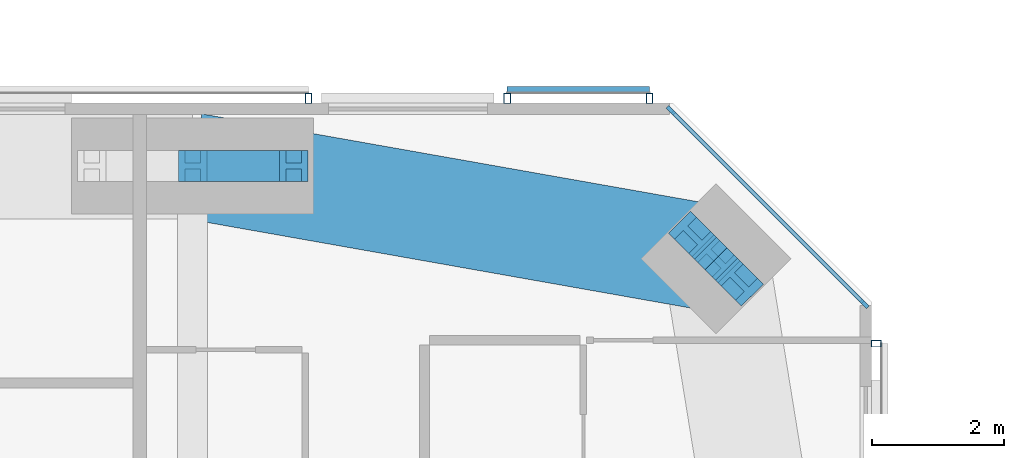
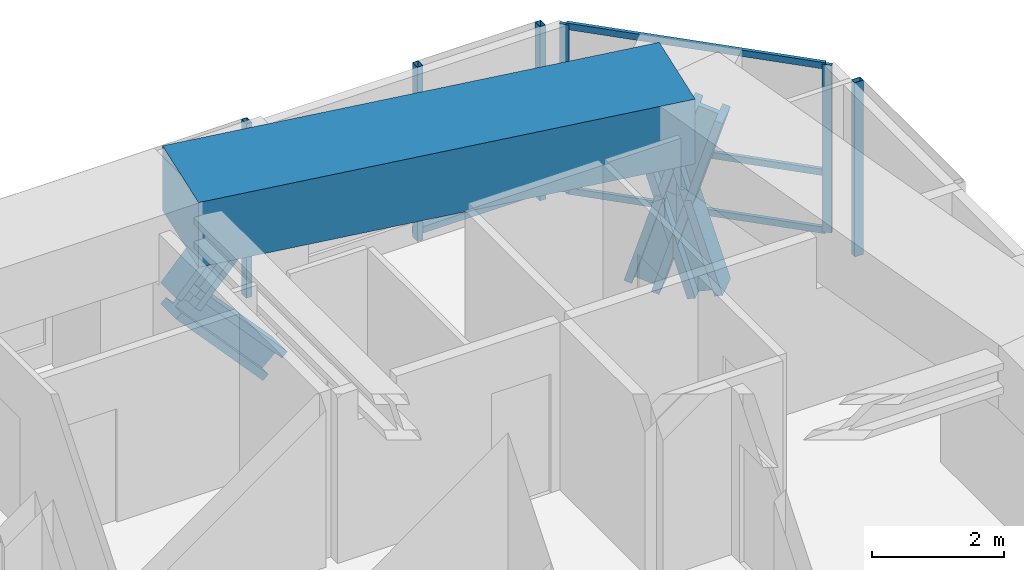
# One storey, part 14 of 23: 16 members, 1 beam, 4 elements without a shape of their own.
"""IFC4 building model written with IfcOpenShell, lengths in metres."""

from ifc_helpers import new_model, si_unit, direction, frame, origin, origin_2d, place, context, subcontext, project, spatial, rectangle, hollow_rectangle, i_section, extrude, material, material_profile, profile_set, type_object, element, aggregate, save


model = new_model("IFC4")

# Units and contexts
model_context = context("Model", 3, precision=1e-05, world=origin(), true_north=direction((0.0, 1.0)))
body_context = subcontext(model_context, "Body", "Model", "MODEL_VIEW")
ifc_project = project(units=[si_unit("LENGTHUNIT", "METRE"), si_unit("AREAUNIT", "SQUARE_METRE"), si_unit("VOLUMEUNIT", "CUBIC_METRE"), si_unit("PLANEANGLEUNIT", "RADIAN"), si_unit("MASSUNIT", "GRAM", prefix="KILO")], contexts=[model_context])

# Site, building, storey
site_placement = place(None, origin())
site = spatial("IfcSite", under=ifc_project, at=site_placement, CompositionType="ELEMENT")
building_placement = place(site_placement, origin())
building = spatial("IfcBuilding", under=site, at=building_placement, Name="Jalousie Tower", CompositionType="ELEMENT")
storey_placement = place(building_placement, frame((0.0, 0.0, 187.85009765625)))
storey = spatial("IfcBuildingStorey", under=building, at=storey_placement, Name="L51", CompositionType="ELEMENT", Elevation=187.85009765625)

# Curtain wall, members
ifc_material_1 = material(Name="Aluminium curtain wall", Category="aluminium")
curtain_wall_type_1 = type_object("IfcCurtainWallType", Name="CORNER WINDOW WALL", PredefinedType="USERDEFINED", material=ifc_material_1)
curtain_wall_1_placement = place(storey_placement, origin())
curtain_wall_1 = element("IfcCurtainWall", 1, at=curtain_wall_1_placement, inside=storey, type_object=curtain_wall_type_1, Name="Corner Window Wall L51 4", ObjectType="CORNER WINDOW WALL", PredefinedType="USERDEFINED")
ifc_material_2 = material(Name="Aluminium mullion", Category="aluminium")
ifc_material_profile_1 = material_profile(ifc_material_2, rectangle(XDim=0.06005859375, YDim=0.14990234375, at=origin_2d()), Name="MULLION 60x150")
ifc_profile_set_1 = profile_set([ifc_material_profile_1], Name="Aluminium mullion")
member_type_1 = type_object("IfcMemberType", Name="CORNER WINDOW WALL MULLION", PredefinedType="MULLION", material=ifc_profile_set_1)
member_1_placement = place(storey_placement, frame((52.891357421875, 32.969970703125, 0.0), z_axis=(0.0, 0.0, 1.0), x_axis=(-0.707106781187, -0.707106781187, 0.0)))
member_1 = element("IfcMember", 2, at=member_1_placement, type_object=member_type_1, Name="CW-C mullion 1", PredefinedType="MULLION", context=body_context, shape_type="SweptSolid", body=[
    extrude(rectangle(XDim=0.06005859375, YDim=0.14990234375, at=origin_2d()), origin(), (0.0, 0.0, 1.0), 3.10986328125),
])
member_2_placement = place(storey_placement, frame((49.969970703125, 35.891357421875, 0.0), z_axis=(0.0, 0.0, 1.0), x_axis=(-0.707106781187, -0.707106781187, 0.0)))
member_2 = element("IfcMember", 3, at=member_2_placement, type_object=member_type_1, Name="CW-C mullion 2", PredefinedType="MULLION", context=body_context, shape_type="SweptSolid", body=[
    extrude(rectangle(XDim=0.06005859375, YDim=0.14990234375, at=origin_2d()), origin(), (0.0, 0.0, 1.0), 3.10986328125),
])
ifc_material_3 = material(Name="Aluminium transom", Category="aluminium")
ifc_material_profile_2 = material_profile(ifc_material_3, rectangle(XDim=0.06005859375, YDim=0.1201171875, at=origin_2d()), Name="TRANSOM 60x120")
ifc_profile_set_2 = profile_set([ifc_material_profile_2], Name="Aluminium transom")
member_type_2 = type_object("IfcMemberType", Name="CORNER WINDOW WALL TRANSOM", PredefinedType="USERDEFINED", material=ifc_profile_set_2)
member_3_placement = place(storey_placement, frame((52.8701171875, 32.9912109375, 0.02978515625), z_axis=(-0.707106781187, 0.707106781187, 0.0), x_axis=(-0.707106781187, -0.707106781187, 0.0)))
member_3 = element("IfcMember", 4, at=member_3_placement, type_object=member_type_2, Name="CW-C transom 1.1", ObjectType="TRANSOM", PredefinedType="USERDEFINED", context=body_context, shape_type="SweptSolid", body=[
    extrude(rectangle(XDim=0.06005859375, YDim=0.1201171875, at=origin_2d()), origin(), (0.0, 0.0, 1.0), 4.0712890625),
])
member_4_placement = place(storey_placement, frame((52.8701171875, 32.9912109375, 1.099853515625), z_axis=(-0.707106781187, 0.707106781187, 0.0), x_axis=(-0.707106781187, -0.707106781187, 0.0)))
member_4 = element("IfcMember", 5, at=member_4_placement, type_object=member_type_2, Name="CW-C transom 1.2", ObjectType="TRANSOM", PredefinedType="USERDEFINED", context=body_context, shape_type="SweptSolid", body=[
    extrude(rectangle(XDim=0.06005859375, YDim=0.1201171875, at=origin_2d()), origin(), (0.0, 0.0, 1.0), 4.0712890625),
])
member_5_placement = place(storey_placement, frame((52.8701171875, 32.9912109375, 3.079833984375), z_axis=(-0.707106781187, 0.707106781187, 0.0), x_axis=(-0.707106781187, -0.707106781187, 0.0)))
member_5 = element("IfcMember", 6, at=member_5_placement, type_object=member_type_2, Name="CW-C transom 1.3", ObjectType="TRANSOM", PredefinedType="USERDEFINED", context=body_context, shape_type="SweptSolid", body=[
    extrude(rectangle(XDim=0.06005859375, YDim=0.1201171875, at=origin_2d()), origin(), (0.0, 0.0, 1.0), 4.0712890625),
])
aggregate(curtain_wall_1, [member_1, member_2, member_3, member_4, member_5])

# Members
ifc_material_4 = material(Name="Steel ASTM A992 Grade 50", Category="steel")
ifc_material_profile_3 = material_profile(ifc_material_4, i_section(OverallWidth=0.472412109375, OverallDepth=0.5791015625, WebThickness=0.094970703125, FlangeThickness=0.1298828125, at=origin_2d()), Name="W14X808")
ifc_profile_set_3 = profile_set([ifc_material_profile_3], Name="Steel ASTM A992 Grade 50")
member_type_3 = type_object("IfcMemberType", Name="PERIMETER BRACE W14X808", PredefinedType="BRACE", material=ifc_profile_set_3)
for number, where, z_axis, x_axis, name in (
    (7, (51.0048828125, 33.2978515625, -0.60009765625), (-0.202092742837, 0.202372069365, 0.958229653493), (-0.707594945859, -0.706618279267, 0.0), "Perimeter brace 08 L51 part 1"),
    (8, (50.651611328125, 33.651611328125, 1.074951171875), (-0.202372069365, 0.202092742837, 0.958229653493), (-0.706618279267, -0.707594945859, 0.0), "Perimeter brace 08 L51 part 2"),
    (9, (50.2978515625, 34.0048828125, -0.60009765625), (0.202372069365, -0.202092742837, 0.958229653493), (0.706618279267, 0.707594945859, 0.0), "Perimeter brace 08 L51 part 3"),
    (10, (50.651611328125, 33.651611328125, 1.074951171875), (0.202092742837, -0.202372069365, 0.958229653493), (0.707594945859, 0.706618279267, 0.0), "Perimeter brace 08 L51 part 4"),
):
    element("IfcMember", number, at=place(storey_placement, frame(where, z_axis=z_axis, x_axis=x_axis)), inside=storey, type_object=member_type_3, Name=name, PredefinedType="BRACE", context=body_context, shape_type="SweptSolid", body=[
        extrude(i_section(OverallWidth=0.472412109375, OverallDepth=0.5791015625, WebThickness=0.094970703125, FlangeThickness=0.1298828125, at=origin_2d()), origin(), (0.0, 0.0, 1.0), 1.748046875),
    ])
for number, where, z_axis, x_axis, name in (
    (11, (42.75, 35.050048828125, 1.074951171875), (0.673187629365, 0.0, 0.739471713908), (0.0, 1.0, 0.0), "Perimeter brace 09 L51 part 2"),
    (12, (44.27490234375, 35.050048828125, -0.60009765625), (-0.673187629365, 0.0, 0.739471713908), (0.0, -1.0, 0.0), "Perimeter brace 09 L51 part 3"),
):
    element("IfcMember", number, at=place(storey_placement, frame(where, z_axis=z_axis, x_axis=x_axis)), inside=storey, type_object=member_type_3, Name=name, PredefinedType="BRACE", context=body_context, shape_type="SweptSolid", body=[
        extrude(i_section(OverallWidth=0.472412109375, OverallDepth=0.5791015625, WebThickness=0.094970703125, FlangeThickness=0.1298828125, at=origin_2d()), origin(), (0.0, 0.0, 1.0), 2.26513671875),
    ])

# Beam
ifc_material_5 = material(Name="Concrete f'c 40 MPa", Category="concrete")
ifc_material_profile_4 = material_profile(ifc_material_5, rectangle(XDim=1.60009765625, YDim=1.199951171875, at=origin_2d()), Name="RC 1600x1200")
ifc_profile_set_4 = profile_set([ifc_material_profile_4], Name="Concrete f'c 40 MPa")
beam_type = type_object("IfcBeamType", Name="RC BEAM 1600x1200", PredefinedType="BEAM", material=ifc_profile_set_4)
beam_placement = place(storey_placement, frame((50.651611328125, 33.651611328125, 2.75), z_axis=(-0.984697370688, 0.174273027632, 0.0), x_axis=(-0.174273027632, -0.984697370688, 0.0)))
element("IfcBeam", 13, at=beam_placement, inside=storey, type_object=beam_type, Name="Edge band beam 08-09 under L52", PredefinedType="BEAM", context=body_context, shape_type="SweptSolid", body=[
    extrude(rectangle(XDim=1.60009765625, YDim=1.199951171875, at=origin_2d()), origin(), (0.0, 0.0, 1.0), 8.0244140625),
])

# Curtain wall, member
ifc_material_6 = material(Name="Perforated aluminium sheet", Category="aluminium")
curtain_wall_type_2 = type_object("IfcCurtainWallType", Name="SOLAR SCREEN SS-1", PredefinedType="USERDEFINED", material=ifc_material_6)
curtain_wall_2_placement = place(storey_placement, origin())
curtain_wall_2 = element("IfcCurtainWall", 14, at=curtain_wall_2_placement, inside=storey, type_object=curtain_wall_type_2, Name="Solar screen L51", ObjectType="SOLAR SCREEN SS-1", PredefinedType="USERDEFINED")
ifc_material_7 = material(Name="Steel ASTM A500 Grade C", Category="steel")
ifc_material_profile_5 = material_profile(ifc_material_7, hollow_rectangle(XDim=0.1015625, YDim=0.15234375, WallThickness=0.00634765625, at=origin_2d()), Name="HSS6X4X1/4")
ifc_profile_set_5 = profile_set([ifc_material_profile_5], Name="Steel ASTM A500 Grade C")
member_type_4 = type_object("IfcMemberType", Name="SOLAR SCREEN SS-1 MULLION", PredefinedType="MULLION", material=ifc_profile_set_5)
member_6_placement = place(storey_placement, frame((53.0712890625, 32.3701171875, -0.1201171875), z_axis=(0.0, 0.0, 1.0), x_axis=(0.0, 1.0, 0.0)))
member_6 = element("IfcMember", 15, at=member_6_placement, type_object=member_type_4, Name="SS1 post 2", PredefinedType="MULLION", context=body_context, shape_type="SweptSolid", body=[
    extrude(hollow_rectangle(XDim=0.1015625, YDim=0.15234375, WallThickness=0.00634765625, at=origin_2d()), origin(), (0.0, 0.0, 1.0), 3.22998046875),
])
aggregate(curtain_wall_2, [member_6])

# Curtain wall, members
curtain_wall_3_placement = place(storey_placement, origin())
curtain_wall_3 = element("IfcCurtainWall", 16, at=curtain_wall_3_placement, inside=storey, type_object=curtain_wall_type_2, Name="Solar screen L51", ObjectType="SOLAR SCREEN SS-1", PredefinedType="USERDEFINED")
member_7_placement = place(storey_placement, frame((49.648681640625, 36.0712890625, -0.1201171875), z_axis=(0.0, 0.0, 1.0), x_axis=(-1.0, 0.0, 0.0)))
member_7 = element("IfcMember", 17, at=member_7_placement, type_object=member_type_4, Name="SS1 post 1", PredefinedType="MULLION", context=body_context, shape_type="SweptSolid", body=[
    extrude(hollow_rectangle(XDim=0.1015625, YDim=0.15234375, WallThickness=0.00634765625, at=origin_2d()), origin(), (0.0, 0.0, 1.0), 3.22998046875),
])
member_8_placement = place(storey_placement, frame((47.499267578125, 36.0712890625, -0.1201171875), z_axis=(0.0, 0.0, 1.0), x_axis=(-1.0, 0.0, 0.0)))
member_8 = element("IfcMember", 18, at=member_8_placement, type_object=member_type_4, Name="SS1 post 2", PredefinedType="MULLION", context=body_context, shape_type="SweptSolid", body=[
    extrude(hollow_rectangle(XDim=0.1015625, YDim=0.15234375, WallThickness=0.00634765625, at=origin_2d()), origin(), (0.0, 0.0, 1.0), 3.22998046875),
])

# Curtain wall, member
curtain_wall_4_placement = place(storey_placement, origin())
curtain_wall_4 = element("IfcCurtainWall", 19, at=curtain_wall_4_placement, inside=storey, type_object=curtain_wall_type_2, Name="Solar screen L51", ObjectType="SOLAR SCREEN SS-1", PredefinedType="USERDEFINED")
member_9_placement = place(storey_placement, frame((44.499267578125, 36.0712890625, -0.1201171875), z_axis=(0.0, 0.0, 1.0), x_axis=(-1.0, 0.0, 0.0)))
member_9 = element("IfcMember", 20, at=member_9_placement, type_object=member_type_4, Name="SS1 post 1", PredefinedType="MULLION", context=body_context, shape_type="SweptSolid", body=[
    extrude(hollow_rectangle(XDim=0.1015625, YDim=0.15234375, WallThickness=0.00634765625, at=origin_2d()), origin(), (0.0, 0.0, 1.0), 3.22998046875),
])
aggregate(curtain_wall_4, [member_9])

# Member
ifc_material_8 = material(Name="Extruded aluminium screen rail", Category="aluminium")
ifc_material_profile_6 = material_profile(ifc_material_8, rectangle(XDim=0.1015625, YDim=0.1201171875, at=origin_2d()), Name="RAIL 102x120")
ifc_profile_set_6 = profile_set([ifc_material_profile_6], Name="Extruded aluminium screen rail")
member_type_5 = type_object("IfcMemberType", Name="SOLAR SCREEN SS-1 TRANSOM", PredefinedType="USERDEFINED", material=ifc_profile_set_6)
member_10_placement = place(storey_placement, frame((49.648681640625, 36.1982421875, -0.06005859375), z_axis=(-1.0, 0.0, 0.0), x_axis=(0.0, -1.0, 0.0)))
member_10 = element("IfcMember", 21, at=member_10_placement, type_object=member_type_5, Name="SS1 rail", ObjectType="TRANSOM", PredefinedType="USERDEFINED", context=body_context, shape_type="SweptSolid", body=[
    extrude(rectangle(XDim=0.1015625, YDim=0.1201171875, at=origin_2d()), origin(), (0.0, 0.0, 1.0), 2.1494140625),
])

aggregate(curtain_wall_3, [member_7, member_8, member_10])

save(model, "model.ifc")
